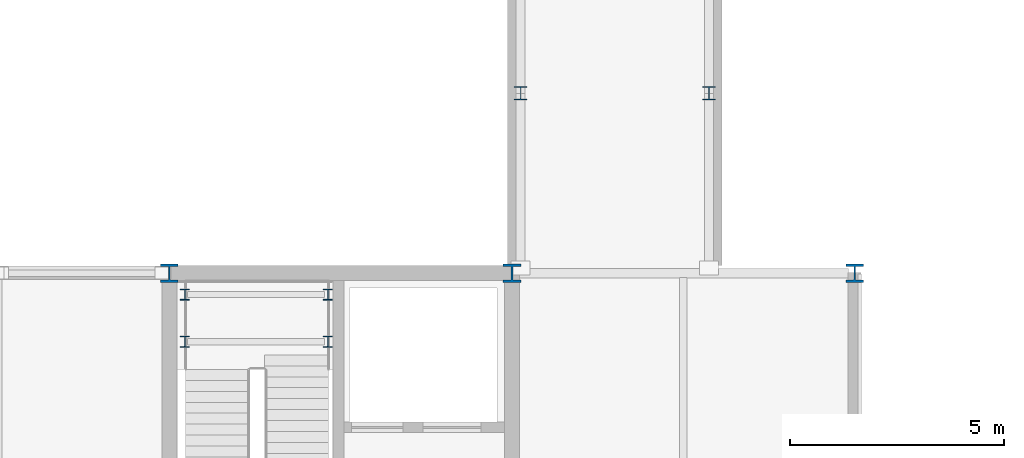
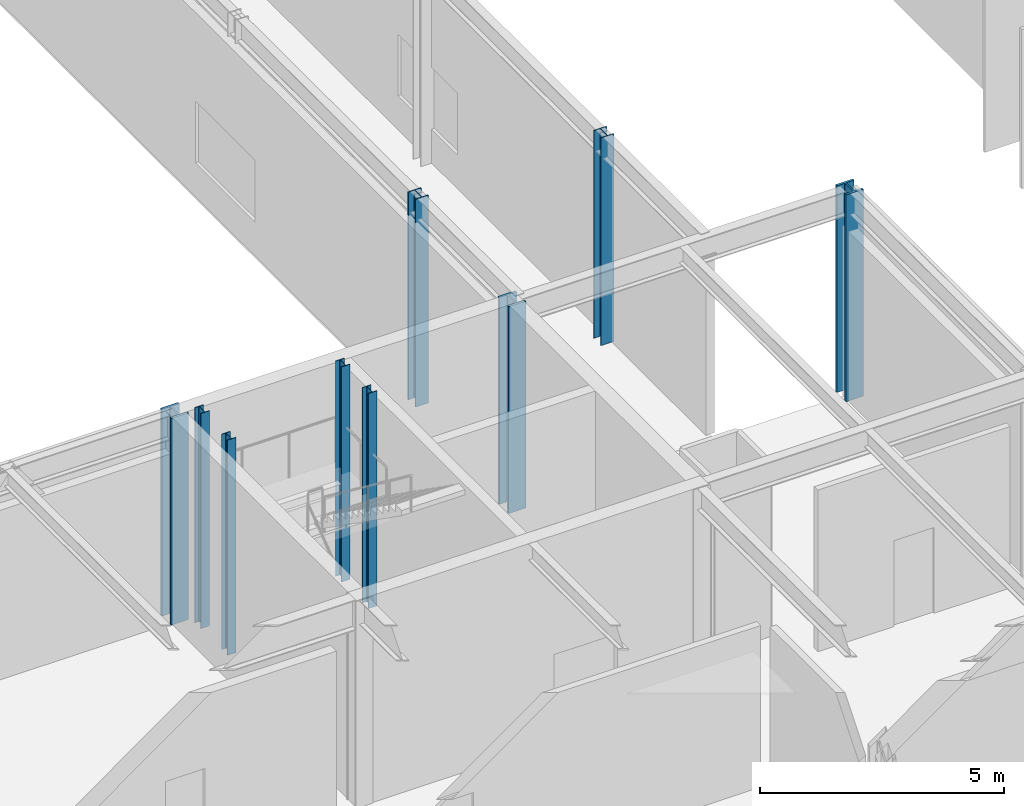
# One storey, part 4 of 94: 9 columns.
"""IFC4 building model written with IfcOpenShell, lengths in metres."""

from ifc_helpers import new_model, si_unit, direction, frame, origin, origin_2d, place, context, subcontext, project, spatial, i_section, extrude, material, material_profile, profile_set, type_object, element, save


model = new_model("IFC4")

# Units and contexts
model_context = context("Model", 3, precision=1e-05, world=origin(), true_north=direction((0.0, 1.0)))
body_context = subcontext(model_context, "Body", "Model", "MODEL_VIEW")
ifc_project = project(units=[si_unit("LENGTHUNIT", "METRE"), si_unit("AREAUNIT", "SQUARE_METRE"), si_unit("VOLUMEUNIT", "CUBIC_METRE"), si_unit("PLANEANGLEUNIT", "RADIAN"), si_unit("MASSUNIT", "GRAM", prefix="KILO")], contexts=[model_context])

# Site, building, storey
site_placement = place(None, origin())
site = spatial("IfcSite", under=ifc_project, at=site_placement, CompositionType="ELEMENT")
building_placement = place(site_placement, origin())
building = spatial("IfcBuilding", under=site, at=building_placement, Name="Zulena Civic Courthouse", CompositionType="ELEMENT")
storey_placement = place(building_placement, frame((0.0, 0.0, 5.39990234375)))
storey = spatial("IfcBuildingStorey", under=building, at=storey_placement, Name="L01", CompositionType="ELEMENT", Elevation=5.39990234375)

# Columns
ifc_material = material(Name="Steel ASTM A992 Grade 50", Category="steel")
ifc_material_profile_1 = material_profile(ifc_material, i_section(OverallWidth=0.2041015625, OverallDepth=0.257080078125, WebThickness=0.0087890625, FlangeThickness=0.015625, FilletRadius=0.0126953125, at=origin_2d()), Name="W10X45")
ifc_profile_set_1 = profile_set([ifc_material_profile_1], Name="Steel ASTM A992 Grade 50")
column_type_1 = type_object("IfcColumnType", Name="Col_W10X45", PredefinedType="COLUMN", material=ifc_profile_set_1)
for number, where, z_axis, x_axis, name in (
    (1, (44.360107421875, 21.199951171875, 0.0), (0.0, 0.0, 1.0), (1.0, 0.0, 0.0), "col:lnd:K2B:L01:0:0"),
    (2, (47.699951171875, 21.199951171875, 0.0), (0.0, 0.0, 1.0), (1.0, 0.0, 0.0), "col:lnd:K2B:L01:0:1"),
    (3, (44.360107421875, 22.300048828125, 0.0), (0.0, 0.0, 1.0), (1.0, 0.0, 0.0), "col:lnd:K2B:L01:1:0"),
    (4, (47.699951171875, 22.300048828125, 0.0), (0.0, 0.0, 1.0), (1.0, 0.0, 0.0), "col:lnd:K2B:L01:1:1"),
):
    element("IfcColumn", number, at=place(storey_placement, frame(where, z_axis=z_axis, x_axis=x_axis)), inside=storey, type_object=column_type_1, Name=name, PredefinedType="COLUMN", context=body_context, shape_type="SweptSolid", body=[
        extrude(i_section(OverallWidth=0.2041015625, OverallDepth=0.257080078125, WebThickness=0.0087890625, FlangeThickness=0.015625, FilletRadius=0.0126953125, at=origin_2d()), origin(), (0.0, 0.0, 1.0), 5.39501953125),
    ])
ifc_material_profile_2 = material_profile(ifc_material, i_section(OverallWidth=0.30908203125, OverallDepth=0.322998046875, WebThickness=0.013916015625, FlangeThickness=0.02294921875, FilletRadius=0.01513671875, at=origin_2d()), Name="W12X96")
ifc_profile_set_2 = profile_set([ifc_material_profile_2], Name="Steel ASTM A992 Grade 50")
column_type_2 = type_object("IfcColumnType", Name="Col_W12X96", PredefinedType="COLUMN", material=ifc_profile_set_2)
for number, where, z_axis, x_axis, name in (
    (5, (52.199951171875, 27.0, 0.0), (0.0, 0.0, 1.0), (1.0, 0.0, 0.0), "col:bridge:BR-52C:L01:52.20:27.00"),
    (6, (56.60009765625, 27.0, 0.0), (0.0, 0.0, 1.0), (1.0, 0.0, 0.0), "col:bridge:BR-52C:L01:56.60:27.00"),
):
    element("IfcColumn", number, at=place(storey_placement, frame(where, z_axis=z_axis, x_axis=x_axis)), inside=storey, type_object=column_type_2, Name=name, PredefinedType="COLUMN", context=body_context, shape_type="SweptSolid", body=[
        extrude(i_section(OverallWidth=0.30908203125, OverallDepth=0.322998046875, WebThickness=0.013916015625, FlangeThickness=0.02294921875, FilletRadius=0.01513671875, at=origin_2d()), origin(), (0.0, 0.0, 1.0), 5.205078125),
    ])
ifc_material_profile_3 = material_profile(ifc_material, i_section(OverallWidth=0.412109375, OverallDepth=0.43505859375, WebThickness=0.035888671875, FlangeThickness=0.057373046875, FilletRadius=0.01513671875, at=origin_2d()), Name="W14X311")
ifc_profile_set_3 = profile_set([ifc_material_profile_3], Name="Steel ASTM A992 Grade 50")
column_type_3 = type_object("IfcColumnType", Name="Col_W14X311", PredefinedType="COLUMN", material=ifc_profile_set_3)
for number, where, z_axis, x_axis, name in (
    (7, (44.0, 22.800048828125, 0.0), (0.0, 0.0, 1.0), (1.0, 0.0, 0.0), "col:V2:L01:44.0:22.8"),
    (8, (52.0, 22.800048828125, 0.0), (0.0, 0.0, 1.0), (1.0, 0.0, 0.0), "col:V2:L01:52.0:22.8"),
    (9, (60.0, 22.800048828125, 0.0), (0.0, 0.0, 1.0), (1.0, 0.0, 0.0), "col:V2:L01:60.0:22.8"),
):
    element("IfcColumn", number, at=place(storey_placement, frame(where, z_axis=z_axis, x_axis=x_axis)), inside=storey, type_object=column_type_3, Name=name, PredefinedType="COLUMN", context=body_context, shape_type="SweptSolid", body=[
        extrude(i_section(OverallWidth=0.412109375, OverallDepth=0.43505859375, WebThickness=0.035888671875, FlangeThickness=0.057373046875, FilletRadius=0.01513671875, at=origin_2d()), origin(), (0.0, 0.0, 1.0), 5.18505859375),
    ])

save(model, "model.ifc")
